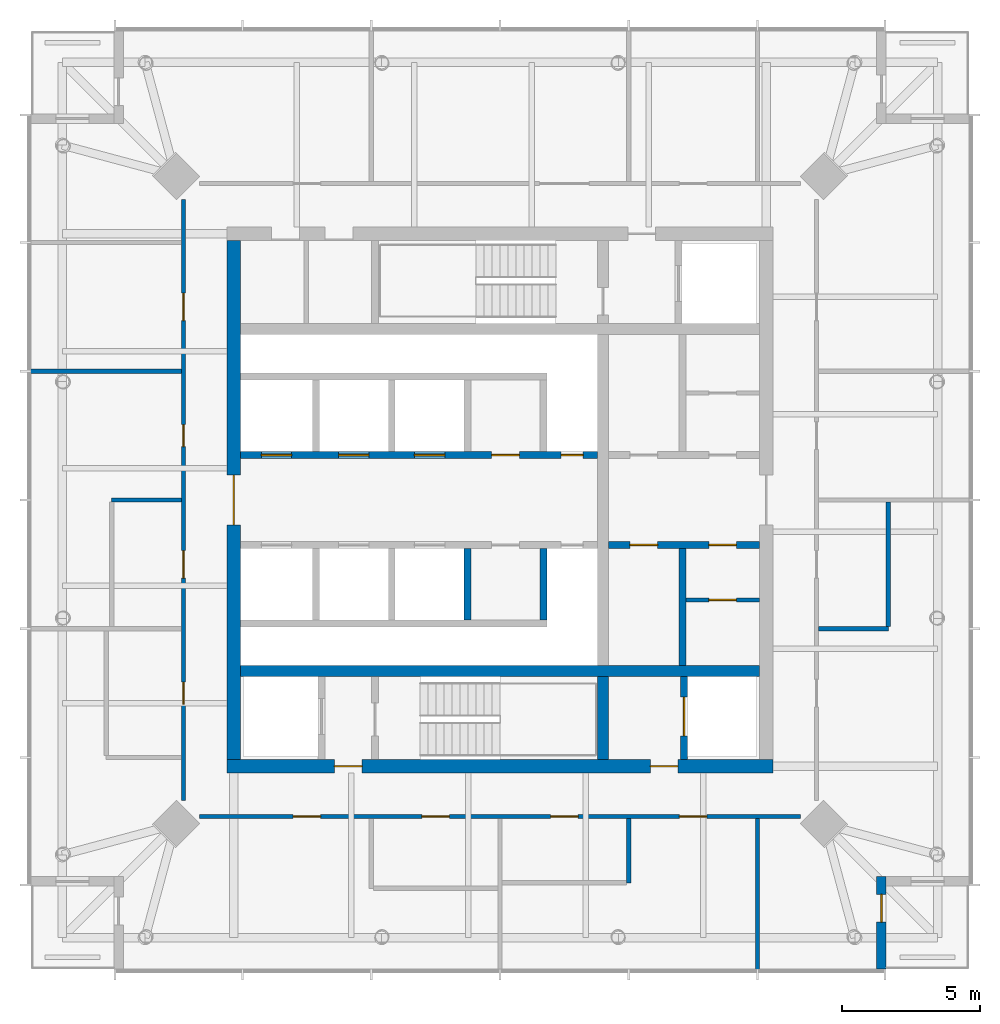
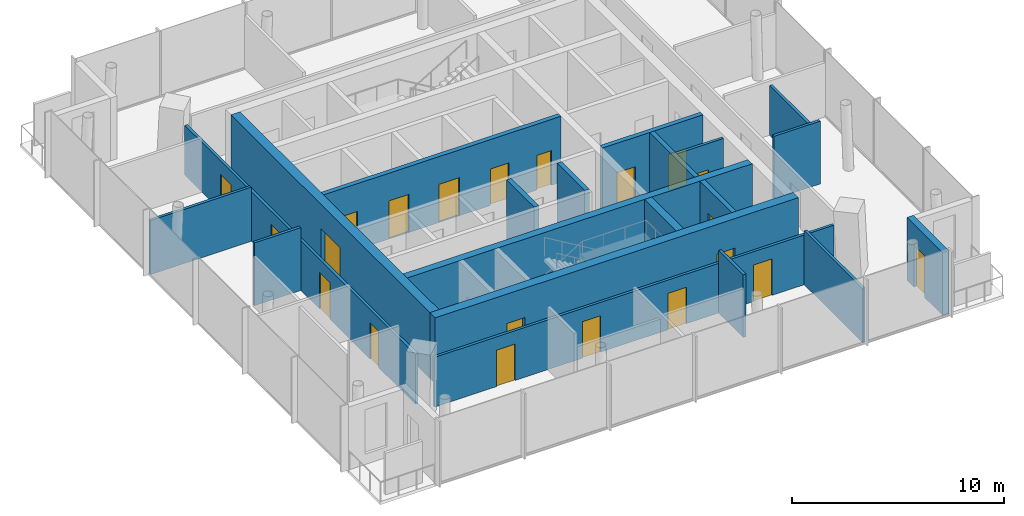
# One storey, part 4 of 7: 21 doors, 20 walls, 21 openings.
"""IFC4 building model written with IfcOpenShell, lengths in metres."""

from ifc_helpers import new_model, si_unit, direction, frame, frame_2d, origin, place, context, subcontext, project, spatial, rectangle, extrude, material, layer, layer_set, type_object, element, fill, save


model = new_model("IFC4")

# Units and contexts
model_context = context("Model", 3, precision=1e-05, world=origin(), true_north=direction((0.0, 1.0)))
body_context = subcontext(model_context, "Body", "Model", "MODEL_VIEW")
ifc_project = project(units=[si_unit("LENGTHUNIT", "METRE"), si_unit("AREAUNIT", "SQUARE_METRE"), si_unit("VOLUMEUNIT", "CUBIC_METRE"), si_unit("PLANEANGLEUNIT", "RADIAN"), si_unit("MASSUNIT", "GRAM", prefix="KILO")], contexts=[model_context])

# Site, building, storey
site_placement = place(None, origin())
site = spatial("IfcSite", under=ifc_project, at=site_placement, CompositionType="ELEMENT")
building_placement = place(site_placement, origin())
building = spatial("IfcBuilding", under=site, at=building_placement, Name="Ostroluk Exchange", CompositionType="ELEMENT")
storey_placement = place(building_placement, frame((0.0, 0.0, 275.60009765625)))
storey = spatial("IfcBuildingStorey", under=building, at=storey_placement, Name="L71", CompositionType="ELEMENT", Elevation=275.60009765625)

# Wall, opening, door
ifc_material_1 = material(Name="Concrete blockwork", Category="masonry")
ifc_layer_1 = layer(ifc_material_1, 0.14990234375)
ifc_layer_set_1 = layer_set([ifc_layer_1], Name="Blockwork plant room wall 150")
wall_type_1 = type_object("IfcWallType", Name="Blockwork plant room wall 150", PredefinedType="SOLIDWALL", material=ifc_layer_set_1)
wall_1_placement = place(storey_placement, frame((51.739990234375, 42.3798828125, 0.0), z_axis=(0.0, 0.0, 1.0), x_axis=(1.0, 0.0, 0.0)))
wall_1 = element("IfcWall", 1, at=wall_1_placement, inside=storey, type_object=wall_type_1, Name="Core room wall", PredefinedType="SOLIDWALL", context=body_context, shape_type="SweptSolid", body=[
    extrude(rectangle(XDim=2.659912109375, YDim=0.14990234375, at=frame_2d((1.330078125, 0.0))), origin(), (0.0, 0.0, 1.0), 3.619873046875),
])
opening_1_placement = place(wall_1_placement, frame((0.830078125, 0.0, 0.0)))
opening_1 = element("IfcOpeningElement", 2, at=opening_1_placement, cuts=wall_1, Name="Opening FD60", PredefinedType="OPENING", context=body_context, shape_type="SweptSolid", body=[
    extrude(rectangle(XDim=1.0, YDim=2.10009765625, at=frame_2d((0.5, 1.050048828125))), frame((0.0, 0.0849609375, 0.0), z_axis=(0.0, -1.0, 0.0), x_axis=(1.0, 0.0, 0.0)), (0.0, 0.0, 1.0), 0.169921875),
])
ifc_material_2 = material(Name="Steel", Category="steel")
door_type_1 = type_object("IfcDoorType", Name="Fire door EI 60 1000 x 2100", OperationType="SINGLE_SWING_LEFT", PredefinedType="DOOR", material=ifc_material_2)
door_1_placement = place(opening_1_placement, origin())
door_1 = element("IfcDoor", 3, at=door_1_placement, inside=storey, type_object=door_type_1, Name="Archive store door", OperationType="SINGLE_SWING_RIGHT", OverallHeight=2.10009765625, OverallWidth=1.0, PredefinedType="DOOR", context=body_context, shape_type="SweptSolid", body=[
    extrude(rectangle(XDim=1.0, YDim=2.10009765625, at=frame_2d((0.5, 1.050048828125))), frame((0.0, 0.02490234375, 0.0), z_axis=(0.0, -1.0, 0.0), x_axis=(1.0, 0.0, 0.0)), (0.0, 0.0, 1.0), 0.050048828125),
])
fill(opening_1, door_1)

# Walls
ifc_material_3 = material(Name="Concrete C50/60", Category="concrete")
ifc_layer_2 = layer(ifc_material_3, 0.39990234375)
ifc_layer_set_2 = layer_set([ifc_layer_2], Name="Core cross wall 400 C50/60")
wall_type_2 = type_object("IfcWallType", Name="Core cross wall 400 C50/60", PredefinedType="SHEAR", material=ifc_layer_set_2)
wall_2_placement = place(storey_placement, frame((35.60009765625, 39.800048828125, 0.0), z_axis=(0.0, 0.0, 1.0), x_axis=(1.0, 0.0, 0.0)))
element("IfcWall", 4, at=wall_2_placement, inside=storey, type_object=wall_type_2, Name="T1 core wall XS", PredefinedType="SHEAR", context=body_context, shape_type="SweptSolid", body=[
    extrude(rectangle(XDim=18.7998046875, YDim=0.39990234375, at=frame_2d((9.39990234375, 0.0))), origin(), (0.0, 0.0, 1.0), 3.7998046875),
])
wall_3_placement = place(storey_placement, frame((48.72998046875, 36.60009765625, 0.0), z_axis=(0.0, 0.0, 1.0), x_axis=(0.0, 1.0, 0.0)))
element("IfcWall", 5, at=wall_3_placement, inside=storey, type_object=wall_type_2, Name="T1 core wall YE1", PredefinedType="SHEAR", context=body_context, shape_type="SweptSolid", body=[
    extrude(rectangle(XDim=3.0, YDim=0.39990234375, at=frame_2d((1.5, 0.0))), origin(), (0.0, 0.0, 1.0), 3.7998046875),
])

# Wall, opening, door
ifc_material_4 = material(Name="Concrete C40/50", Category="concrete")
ifc_layer_3 = layer(ifc_material_4, 0.25)
ifc_layer_set_3 = layer_set([ifc_layer_3], Name="Core shaft wall 250")
wall_type_3 = type_object("IfcWallType", Name="Core shaft wall 250", PredefinedType="SHEAR", material=ifc_layer_set_3)
wall_4_placement = place(storey_placement, frame((51.675048828125, 36.60009765625, 0.0), z_axis=(0.0, 0.0, 1.0), x_axis=(0.0, 1.0, 0.0)))
wall_4 = element("IfcWall", 6, at=wall_4_placement, inside=storey, type_object=wall_type_3, Name="Service lift shaft wall", PredefinedType="SHEAR", context=body_context, shape_type="SweptSolid", body=[
    extrude(rectangle(XDim=3.0, YDim=0.25, at=frame_2d((1.5, 0.0))), origin(), (0.0, 0.0, 1.0), 3.7998046875),
])
opening_2_placement = place(wall_4_placement, frame((0.85009765625, 0.0, 0.0)))
opening_2 = element("IfcOpeningElement", 7, at=opening_2_placement, cuts=wall_4, Name="Opening LD3", PredefinedType="OPENING", context=body_context, shape_type="SweptSolid", body=[
    extrude(rectangle(XDim=1.39990234375, YDim=2.39990234375, at=frame_2d((0.699951171875, 1.199951171875))), frame((0.0, 0.135009765625, 0.0), z_axis=(0.0, -1.0, 0.0), x_axis=(1.0, 0.0, 0.0)), (0.0, 0.0, 1.0), 0.27001953125),
])
ifc_material_5 = material(Name="Stainless steel", Category="steel")
door_type_2 = type_object("IfcDoorType", Name="Goods lift landing door E 60 1400 x 2400", OperationType="DOUBLE_DOOR_SLIDING", PredefinedType="DOOR", material=ifc_material_5)
door_2_placement = place(opening_2_placement, origin())
door_2 = element("IfcDoor", 8, at=door_2_placement, inside=storey, type_object=door_type_2, Name="Lift SL1 landing door", OperationType="DOUBLE_DOOR_SLIDING", OverallHeight=2.39990234375, OverallWidth=1.39990234375, PredefinedType="DOOR", context=body_context, shape_type="SweptSolid", body=[
    extrude(rectangle(XDim=1.39990234375, YDim=2.39990234375, at=frame_2d((0.699951171875, 1.199951171875))), frame((0.0, 0.02490234375, 0.0), z_axis=(0.0, -1.0, 0.0), x_axis=(1.0, 0.0, 0.0)), (0.0, 0.0, 1.0), 0.050048828125),
])
fill(opening_2, door_2)

# Wall, openings, doors
wall_5_placement = place(storey_placement, frame((35.60009765625, 47.625, 0.0), z_axis=(0.0, 0.0, 1.0), x_axis=(1.0, 0.0, 0.0)))
wall_5 = element("IfcWall", 9, at=wall_5_placement, inside=storey, type_object=wall_type_3, Name="Lift shaft front wall", PredefinedType="SHEAR", context=body_context, shape_type="SweptSolid", body=[
    extrude(rectangle(XDim=12.929931640625, YDim=0.25, at=frame_2d((6.46484375, 0.0))), origin(), (0.0, 0.0, 1.0), 3.7998046875),
])
opening_3_placement = place(wall_5_placement, frame((0.75, 0.0, 0.0)))
opening_3 = element("IfcOpeningElement", 10, at=opening_3_placement, cuts=wall_5, Name="Opening LD", PredefinedType="OPENING", context=body_context, shape_type="SweptSolid", body=[
    extrude(rectangle(XDim=1.10009765625, YDim=2.199951171875, at=frame_2d((0.550048828125, 1.10009765625))), frame((0.0, 0.135009765625, 0.0), z_axis=(0.0, -1.0, 0.0), x_axis=(1.0, 0.0, 0.0)), (0.0, 0.0, 1.0), 0.27001953125),
])
opening_4_placement = place(wall_5_placement, frame((3.550048828125, 0.0, 0.0)))
opening_4 = element("IfcOpeningElement", 11, at=opening_4_placement, cuts=wall_5, Name="Opening LD", PredefinedType="OPENING", context=body_context, shape_type="SweptSolid", body=[
    extrude(rectangle(XDim=1.10009765625, YDim=2.199951171875, at=frame_2d((0.550048828125, 1.10009765625))), frame((0.0, 0.135009765625, 0.0), z_axis=(0.0, -1.0, 0.0), x_axis=(1.0, 0.0, 0.0)), (0.0, 0.0, 1.0), 0.27001953125),
])
opening_5_placement = place(wall_5_placement, frame((6.300048828125, 0.0, 0.0)))
opening_5 = element("IfcOpeningElement", 12, at=opening_5_placement, cuts=wall_5, Name="Opening LD", PredefinedType="OPENING", context=body_context, shape_type="SweptSolid", body=[
    extrude(rectangle(XDim=1.10009765625, YDim=2.199951171875, at=frame_2d((0.550048828125, 1.10009765625))), frame((0.0, 0.135009765625, 0.0), z_axis=(0.0, -1.0, 0.0), x_axis=(1.0, 0.0, 0.0)), (0.0, 0.0, 1.0), 0.27001953125),
])
opening_6_placement = place(wall_5_placement, frame((9.10009765625, 0.0, 0.0)))
opening_6 = element("IfcOpeningElement", 13, at=opening_6_placement, cuts=wall_5, Name="Opening FD60", PredefinedType="OPENING", context=body_context, shape_type="SweptSolid", body=[
    extrude(rectangle(XDim=1.0, YDim=2.10009765625, at=frame_2d((0.5, 1.050048828125))), frame((0.0, 0.135009765625, 0.0), z_axis=(0.0, -1.0, 0.0), x_axis=(1.0, 0.0, 0.0)), (0.0, 0.0, 1.0), 0.27001953125),
])
opening_7_placement = place(wall_5_placement, frame((11.614990234375, 0.0, 0.0)))
opening_7 = element("IfcOpeningElement", 14, at=opening_7_placement, cuts=wall_5, Name="Opening RD60", PredefinedType="OPENING", context=body_context, shape_type="SweptSolid", body=[
    extrude(rectangle(XDim=0.800048828125, YDim=2.0, at=frame_2d((0.39990234375, 1.0))), frame((0.0, 0.135009765625, 0.0), z_axis=(0.0, -1.0, 0.0), x_axis=(1.0, 0.0, 0.0)), (0.0, 0.0, 1.0), 0.27001953125),
])
door_3_placement = place(opening_6_placement, origin())
door_3 = element("IfcDoor", 15, at=door_3_placement, inside=storey, type_object=door_type_1, Name="Core room door", OperationType="SINGLE_SWING_RIGHT", OverallHeight=2.10009765625, OverallWidth=1.0, PredefinedType="DOOR", context=body_context, shape_type="SweptSolid", body=[
    extrude(rectangle(XDim=1.0, YDim=2.10009765625, at=frame_2d((0.5, 1.050048828125))), frame((0.0, 0.02490234375, 0.0), z_axis=(0.0, -1.0, 0.0), x_axis=(1.0, 0.0, 0.0)), (0.0, 0.0, 1.0), 0.050048828125),
])
fill(opening_6, door_3)
ifc_material_6 = material(Name="Stainless steel", Category="steel")
door_type_3 = type_object("IfcDoorType", Name="Lift landing door E 60 1100 x 2200", OperationType="DOUBLE_DOOR_SLIDING", PredefinedType="DOOR", material=ifc_material_6)
door_4_placement = place(opening_3_placement, origin())
door_4 = element("IfcDoor", 16, at=door_4_placement, inside=storey, type_object=door_type_3, Name="Lift PL-T1 landing door", OperationType="DOUBLE_DOOR_SLIDING", OverallHeight=2.199951171875, OverallWidth=1.10009765625, PredefinedType="DOOR", context=body_context, shape_type="SweptSolid", body=[
    extrude(rectangle(XDim=1.10009765625, YDim=2.199951171875, at=frame_2d((0.550048828125, 1.10009765625))), frame((0.0, 0.02490234375, 0.0), z_axis=(0.0, -1.0, 0.0), x_axis=(1.0, 0.0, 0.0)), (0.0, 0.0, 1.0), 0.050048828125),
])
fill(opening_3, door_4)
door_5_placement = place(opening_4_placement, origin())
door_5 = element("IfcDoor", 17, at=door_5_placement, inside=storey, type_object=door_type_3, Name="Lift PL-T2 landing door", OperationType="DOUBLE_DOOR_SLIDING", OverallHeight=2.199951171875, OverallWidth=1.10009765625, PredefinedType="DOOR", context=body_context, shape_type="SweptSolid", body=[
    extrude(rectangle(XDim=1.10009765625, YDim=2.199951171875, at=frame_2d((0.550048828125, 1.10009765625))), frame((0.0, 0.02490234375, 0.0), z_axis=(0.0, -1.0, 0.0), x_axis=(1.0, 0.0, 0.0)), (0.0, 0.0, 1.0), 0.050048828125),
])
fill(opening_4, door_5)
door_6_placement = place(opening_5_placement, origin())
door_6 = element("IfcDoor", 18, at=door_6_placement, inside=storey, type_object=door_type_3, Name="Lift PL-T3 landing door", OperationType="DOUBLE_DOOR_SLIDING", OverallHeight=2.199951171875, OverallWidth=1.10009765625, PredefinedType="DOOR", context=body_context, shape_type="SweptSolid", body=[
    extrude(rectangle(XDim=1.10009765625, YDim=2.199951171875, at=frame_2d((0.550048828125, 1.10009765625))), frame((0.0, 0.02490234375, 0.0), z_axis=(0.0, -1.0, 0.0), x_axis=(1.0, 0.0, 0.0)), (0.0, 0.0, 1.0), 0.050048828125),
])
fill(opening_5, door_6)
ifc_material_7 = material(Name="Steel", Category="steel")
door_type_4 = type_object("IfcDoorType", Name="Riser access door EI 60 800 x 2000", OperationType="SINGLE_SWING_LEFT", PredefinedType="DOOR", material=ifc_material_7)
door_7_placement = place(opening_7_placement, origin())
door_7 = element("IfcDoor", 19, at=door_7_placement, inside=storey, type_object=door_type_4, Name="Riser access door", OperationType="SINGLE_SWING_RIGHT", OverallHeight=2.0, OverallWidth=0.800048828125, PredefinedType="DOOR", context=body_context, shape_type="SweptSolid", body=[
    extrude(rectangle(XDim=0.800048828125, YDim=2.0, at=frame_2d((0.39990234375, 1.0))), frame((0.0, 0.02490234375, 0.0), z_axis=(0.0, -1.0, 0.0), x_axis=(1.0, 0.0, 0.0)), (0.0, 0.0, 1.0), 0.050048828125),
])
fill(opening_7, door_7)

# Walls
for number, where, z_axis, x_axis, name in (
    (20, (43.824951171875, 44.25, 0.0), (0.0, 0.0, 1.0), (0.0, -1.0, 0.0), "Lift shaft wall"),
    (21, (46.574951171875, 44.25, 0.0), (0.0, 0.0, 1.0), (0.0, -1.0, 0.0), "Lift shaft wall"),
):
    element("IfcWall", number, at=place(storey_placement, frame(where, z_axis=z_axis, x_axis=x_axis)), inside=storey, type_object=wall_type_3, Name=name, PredefinedType="SHEAR", context=body_context, shape_type="SweptSolid", body=[
        extrude(rectangle(XDim=2.60009765625, YDim=0.25, at=frame_2d((1.300048828125, 0.0))), origin(), (0.0, 0.0, 1.0), 3.7998046875),
    ])
wall_6_placement = place(storey_placement, frame((51.614990234375, 44.25, 0.0), z_axis=(0.0, 0.0, 1.0), x_axis=(0.0, -1.0, 0.0)))
element("IfcWall", 22, at=wall_6_placement, inside=storey, type_object=wall_type_3, Name="Lift shaft wall", PredefinedType="SHEAR", context=body_context, shape_type="SweptSolid", body=[
    extrude(rectangle(XDim=4.25, YDim=0.25, at=frame_2d((2.125, 0.0))), origin(), (0.0, 0.0, 1.0), 3.7998046875),
])

# Wall, openings, doors
wall_7_placement = place(storey_placement, frame((48.929931640625, 44.375, 0.0), z_axis=(0.0, 0.0, 1.0), x_axis=(1.0, 0.0, 0.0)))
wall_7 = element("IfcWall", 23, at=wall_7_placement, inside=storey, type_object=wall_type_3, Name="Lift shaft front wall", PredefinedType="SHEAR", context=body_context, shape_type="SweptSolid", body=[
    extrude(rectangle(XDim=5.469970703125, YDim=0.25, at=frame_2d((2.73486328125, 0.0))), origin(), (0.0, 0.0, 1.0), 3.7998046875),
])
opening_8_placement = place(wall_7_placement, frame((0.780029296875, 0.0, 0.0)))
opening_8 = element("IfcOpeningElement", 24, at=opening_8_placement, cuts=wall_7, Name="Opening FD60", PredefinedType="OPENING", context=body_context, shape_type="SweptSolid", body=[
    extrude(rectangle(XDim=1.0, YDim=2.10009765625, at=frame_2d((0.5, 1.050048828125))), frame((0.0, 0.135009765625, 0.0), z_axis=(0.0, -1.0, 0.0), x_axis=(1.0, 0.0, 0.0)), (0.0, 0.0, 1.0), 0.27001953125),
])
opening_9_placement = place(wall_7_placement, frame((3.639892578125, 0.0, 0.0)))
opening_9 = element("IfcOpeningElement", 25, at=opening_9_placement, cuts=wall_7, Name="Opening FD60", PredefinedType="OPENING", context=body_context, shape_type="SweptSolid", body=[
    extrude(rectangle(XDim=1.0, YDim=2.10009765625, at=frame_2d((0.5, 1.050048828125))), frame((0.0, 0.135009765625, 0.0), z_axis=(0.0, -1.0, 0.0), x_axis=(1.0, 0.0, 0.0)), (0.0, 0.0, 1.0), 0.27001953125),
])
door_8_placement = place(opening_8_placement, origin())
door_8 = element("IfcDoor", 26, at=door_8_placement, inside=storey, type_object=door_type_1, Name="Core room door", OperationType="SINGLE_SWING_LEFT", OverallHeight=2.10009765625, OverallWidth=1.0, PredefinedType="DOOR", context=body_context, shape_type="SweptSolid", body=[
    extrude(rectangle(XDim=1.0, YDim=2.10009765625, at=frame_2d((0.5, 1.050048828125))), frame((0.0, 0.02490234375, 0.0), z_axis=(0.0, -1.0, 0.0), x_axis=(1.0, 0.0, 0.0)), (0.0, 0.0, 1.0), 0.050048828125),
])
fill(opening_8, door_8)
door_9_placement = place(opening_9_placement, origin())
door_9 = element("IfcDoor", 27, at=door_9_placement, inside=storey, type_object=door_type_1, Name="Core room door", OperationType="SINGLE_SWING_RIGHT", OverallHeight=2.10009765625, OverallWidth=1.0, PredefinedType="DOOR", context=body_context, shape_type="SweptSolid", body=[
    extrude(rectangle(XDim=1.0, YDim=2.10009765625, at=frame_2d((0.5, 1.050048828125))), frame((0.0, 0.02490234375, 0.0), z_axis=(0.0, -1.0, 0.0), x_axis=(1.0, 0.0, 0.0)), (0.0, 0.0, 1.0), 0.050048828125),
])
fill(opening_9, door_9)

ifc_material_8 = material(Name="Concrete C50/60", Category="concrete")
ifc_layer_4 = layer(ifc_material_8, 0.5)
ifc_layer_set_4 = layer_set([ifc_layer_4], Name="Core wall 500 C50/60")
wall_type_4 = type_object("IfcWallType", Name="Core wall 500 C50/60", PredefinedType="SHEAR", material=ifc_layer_set_4)
wall_8_placement = place(storey_placement, frame((35.10009765625, 36.35009765625, 0.0), z_axis=(0.0, 0.0, 1.0), x_axis=(1.0, 0.0, 0.0)))
wall_8 = element("IfcWall", 28, at=wall_8_placement, inside=storey, type_object=wall_type_4, Name="T1 core wall S", PredefinedType="SHEAR", context=body_context, shape_type="SweptSolid", body=[
    extrude(rectangle(XDim=19.7998046875, YDim=0.5, at=frame_2d((9.89990234375, 0.0))), origin(), (0.0, 0.0, 1.0), 3.7998046875),
])
opening_10_placement = place(wall_8_placement, frame((3.89990234375, 0.0, 0.0)))
opening_10 = element("IfcOpeningElement", 29, at=opening_10_placement, cuts=wall_8, Name="Opening FD60", PredefinedType="OPENING", context=body_context, shape_type="SweptSolid", body=[
    extrude(rectangle(XDim=1.0, YDim=2.10009765625, at=frame_2d((0.5, 1.050048828125))), frame((0.0, 0.260009765625, 0.0), z_axis=(0.0, -1.0, 0.0), x_axis=(1.0, 0.0, 0.0)), (0.0, 0.0, 1.0), 0.52001953125),
])
opening_11_placement = place(wall_8_placement, frame((15.35009765625, 0.0, 0.0)))
opening_11 = element("IfcOpeningElement", 30, at=opening_11_placement, cuts=wall_8, Name="Opening FD60", PredefinedType="OPENING", context=body_context, shape_type="SweptSolid", body=[
    extrude(rectangle(XDim=1.0, YDim=2.10009765625, at=frame_2d((0.5, 1.050048828125))), frame((0.0, 0.260009765625, 0.0), z_axis=(0.0, -1.0, 0.0), x_axis=(1.0, 0.0, 0.0)), (0.0, 0.0, 1.0), 0.52001953125),
])
door_10_placement = place(opening_10_placement, origin())
door_10 = element("IfcDoor", 31, at=door_10_placement, inside=storey, type_object=door_type_1, Name="Firefighting lobby door", OperationType="SINGLE_SWING_LEFT", OverallHeight=2.10009765625, OverallWidth=1.0, PredefinedType="DOOR", context=body_context, shape_type="SweptSolid", body=[
    extrude(rectangle(XDim=1.0, YDim=2.10009765625, at=frame_2d((0.5, 1.050048828125))), frame((0.0, 0.02490234375, 0.0), z_axis=(0.0, -1.0, 0.0), x_axis=(1.0, 0.0, 0.0)), (0.0, 0.0, 1.0), 0.050048828125),
])
fill(opening_10, door_10)
door_11_placement = place(opening_11_placement, origin())
door_11 = element("IfcDoor", 32, at=door_11_placement, inside=storey, type_object=door_type_1, Name="Service lobby door", OperationType="SINGLE_SWING_RIGHT", OverallHeight=2.10009765625, OverallWidth=1.0, PredefinedType="DOOR", context=body_context, shape_type="SweptSolid", body=[
    extrude(rectangle(XDim=1.0, YDim=2.10009765625, at=frame_2d((0.5, 1.050048828125))), frame((0.0, 0.02490234375, 0.0), z_axis=(0.0, -1.0, 0.0), x_axis=(1.0, 0.0, 0.0)), (0.0, 0.0, 1.0), 0.050048828125),
])
fill(opening_11, door_11)

# Wall, opening, door
wall_9_placement = place(storey_placement, frame((35.35009765625, 36.60009765625, 0.0), z_axis=(0.0, 0.0, 1.0), x_axis=(0.0, 1.0, 0.0)))
wall_9 = element("IfcWall", 33, at=wall_9_placement, inside=storey, type_object=wall_type_4, Name="T1 core wall W", PredefinedType="SHEAR", context=body_context, shape_type="SweptSolid", body=[
    extrude(rectangle(XDim=18.7998046875, YDim=0.5, at=frame_2d((9.39990234375, 0.0))), origin(), (0.0, 0.0, 1.0), 3.7998046875),
])
opening_12_placement = place(wall_9_placement, frame((8.5, 0.0, 0.0)))
opening_12 = element("IfcOpeningElement", 34, at=opening_12_placement, cuts=wall_9, Name="Opening FD30D", PredefinedType="OPENING", context=body_context, shape_type="SweptSolid", body=[
    extrude(rectangle(XDim=1.800048828125, YDim=2.39990234375, at=frame_2d((0.89990234375, 1.199951171875))), frame((0.0, 0.260009765625, 0.0), z_axis=(0.0, -1.0, 0.0), x_axis=(1.0, 0.0, 0.0)), (0.0, 0.0, 1.0), 0.52001953125),
])
ifc_material_9 = material(Name="Timber", Category="wood")
door_type_5 = type_object("IfcDoorType", Name="Lobby double door EI 30 1800 x 2400", OperationType="DOUBLE_DOOR_SINGLE_SWING", PredefinedType="DOOR", material=ifc_material_9)
door_12_placement = place(opening_12_placement, origin())
door_12 = element("IfcDoor", 35, at=door_12_placement, inside=storey, type_object=door_type_5, Name="Lift lobby doors", OperationType="DOUBLE_DOOR_SINGLE_SWING", OverallHeight=2.39990234375, OverallWidth=1.800048828125, PredefinedType="DOOR", context=body_context, shape_type="SweptSolid", body=[
    extrude(rectangle(XDim=1.800048828125, YDim=2.39990234375, at=frame_2d((0.89990234375, 1.199951171875))), frame((0.0, 0.02490234375, 0.0), z_axis=(0.0, -1.0, 0.0), x_axis=(1.0, 0.0, 0.0)), (0.0, 0.0, 1.0), 0.050048828125),
])
fill(opening_12, door_12)

ifc_material_10 = material(Name="Limestone", Category="masonry")
ifc_layer_5 = layer(ifc_material_10, 0.35009765625)
ifc_layer_set_5 = layer_set([ifc_layer_5], Name="Limestone facade wall 350")
wall_type_5 = type_object("IfcWallType", Name="Limestone facade wall 350", PredefinedType="SOLIDWALL", material=ifc_layer_set_5)
wall_10_placement = place(storey_placement, frame((58.824951171875, 29.0, 0.0), z_axis=(0.0, 0.0, 1.0), x_axis=(0.0, 1.0, 0.0)))
wall_10 = element("IfcWall", 36, at=wall_10_placement, inside=storey, type_object=wall_type_5, Name="Office tower SE corner wall L71 a", PredefinedType="SOLIDWALL", context=body_context, shape_type="SweptSolid", body=[
    extrude(rectangle(XDim=3.35009765625, YDim=0.35009765625, at=frame_2d((1.675048828125, 0.0))), origin(), (0.0, 0.0, 1.0), 3.619873046875),
])
opening_13_placement = place(wall_10_placement, frame((1.699951171875, 0.0, 0.0)))
opening_13 = element("IfcOpeningElement", 37, at=opening_13_placement, cuts=wall_10, Name="Opening D-B1", PredefinedType="OPENING", context=body_context, shape_type="SweptSolid", body=[
    extrude(rectangle(XDim=1.0, YDim=2.39990234375, at=frame_2d((0.5, 1.199951171875))), frame((0.0, 0.18505859375, 0.0), z_axis=(0.0, -1.0, 0.0), x_axis=(1.0, 0.0, 0.0)), (0.0, 0.0, 1.0), 0.3701171875),
])
ifc_material_11 = material(Name="Bronze framed glazed door", Category="aluminium")
door_type_6 = type_object("IfcDoorType", Name="Balcony door 1000 x 2400", OperationType="SINGLE_SWING_LEFT", PredefinedType="DOOR", material=ifc_material_11)
door_13_placement = place(opening_13_placement, origin())
door_13 = element("IfcDoor", 38, at=door_13_placement, inside=storey, type_object=door_type_6, Name="Office tower SE balcony door L71", OperationType="SINGLE_SWING_RIGHT", OverallHeight=2.39990234375, OverallWidth=1.0, PredefinedType="DOOR", context=body_context, shape_type="SweptSolid", body=[
    extrude(rectangle(XDim=1.0, YDim=2.39990234375, at=frame_2d((0.5, 1.199951171875))), frame((0.0, 0.02490234375, 0.0), z_axis=(0.0, -1.0, 0.0), x_axis=(1.0, 0.0, 0.0)), (0.0, 0.0, 1.0), 0.050048828125),
])
fill(opening_13, door_13)

# Walls
ifc_material_12 = material(Name="Gypsum plasterboard partition", Category="gypsum")
ifc_layer_6 = layer(ifc_material_12, 0.14990234375)
ifc_layer_set_6 = layer_set([ifc_layer_6], Name="Plasterboard partition 150")
wall_type_6 = type_object("IfcWallType", Name="Plasterboard partition 150", PredefinedType="PARTITIONING", material=ifc_layer_set_6)
wall_11_placement = place(storey_placement, frame((59.074951171875, 41.408447265625, 0.0), z_axis=(0.0, 0.0, 1.0), x_axis=(0.0, 1.0, 0.0)))
element("IfcWall", 39, at=wall_11_placement, inside=storey, type_object=wall_type_6, Name="Partition", PredefinedType="PARTITIONING", context=body_context, shape_type="SweptSolid", body=[
    extrude(rectangle(XDim=4.5166015625, YDim=0.14990234375, at=frame_2d((2.25830078125, 0.0))), origin(), (0.0, 0.0, 1.0), 2.866943359375),
])
wall_12_placement = place(storey_placement, frame((56.550048828125, 41.333251953125, 0.0), z_axis=(0.0, 0.0, 1.0), x_axis=(1.0, 0.0, 0.0)))
element("IfcWall", 40, at=wall_12_placement, inside=storey, type_object=wall_type_6, Name="Partition", PredefinedType="PARTITIONING", context=body_context, shape_type="SweptSolid", body=[
    extrude(rectangle(XDim=2.52490234375, YDim=0.14990234375, at=frame_2d((1.262451171875, 0.0))), origin(), (0.0, 0.0, 1.0), 3.619873046875),
])

# Wall, openings, doors
wall_13_placement = place(storey_placement, frame((33.52490234375, 56.88720703125, 0.0), z_axis=(0.0, 0.0, 1.0), x_axis=(0.0, -1.0, 0.0)))
wall_13 = element("IfcWall", 41, at=wall_13_placement, inside=storey, type_object=wall_type_6, Name="Partition", PredefinedType="PARTITIONING", context=body_context, shape_type="SweptSolid", body=[
    extrude(rectangle(XDim=21.7744140625, YDim=0.14990234375, at=frame_2d((10.88720703125, 0.0))), origin(), (0.0, 0.0, 1.0), 2.866943359375),
])
opening_14_placement = place(wall_13_placement, frame((3.38720703125, 0.0, 0.0)))
opening_14 = element("IfcOpeningElement", 42, at=opening_14_placement, cuts=wall_13, Name="Opening D-03", PredefinedType="OPENING", context=body_context, shape_type="SweptSolid", body=[
    extrude(rectangle(XDim=1.0, YDim=2.10009765625, at=frame_2d((0.5, 1.050048828125))), frame((0.0, 0.0849609375, 0.0), z_axis=(0.0, -1.0, 0.0), x_axis=(1.0, 0.0, 0.0)), (0.0, 0.0, 1.0), 0.169921875),
])
opening_15_placement = place(wall_13_placement, frame((8.15380859375, 0.0, 0.0)))
opening_15 = element("IfcOpeningElement", 43, at=opening_15_placement, cuts=wall_13, Name="Opening D-06", PredefinedType="OPENING", context=body_context, shape_type="SweptSolid", body=[
    extrude(rectangle(XDim=0.800048828125, YDim=2.10009765625, at=frame_2d((0.39990234375, 1.050048828125))), frame((0.0, 0.0849609375, 0.0), z_axis=(0.0, -1.0, 0.0), x_axis=(1.0, 0.0, 0.0)), (0.0, 0.0, 1.0), 0.169921875),
])
opening_16_placement = place(wall_13_placement, frame((12.720458984375, 0.0, 0.0)))
opening_16 = element("IfcOpeningElement", 44, at=opening_16_placement, cuts=wall_13, Name="Opening D-03", PredefinedType="OPENING", context=body_context, shape_type="SweptSolid", body=[
    extrude(rectangle(XDim=1.0, YDim=2.10009765625, at=frame_2d((0.5, 1.050048828125))), frame((0.0, 0.0849609375, 0.0), z_axis=(0.0, -1.0, 0.0), x_axis=(1.0, 0.0, 0.0)), (0.0, 0.0, 1.0), 0.169921875),
])
opening_17_placement = place(wall_13_placement, frame((17.4873046875, 0.0, 0.0)))
opening_17 = element("IfcOpeningElement", 45, at=opening_17_placement, cuts=wall_13, Name="Opening D-06", PredefinedType="OPENING", context=body_context, shape_type="SweptSolid", body=[
    extrude(rectangle(XDim=0.800048828125, YDim=2.10009765625, at=frame_2d((0.39990234375, 1.050048828125))), frame((0.0, 0.0849609375, 0.0), z_axis=(0.0, -1.0, 0.0), x_axis=(1.0, 0.0, 0.0)), (0.0, 0.0, 1.0), 0.169921875),
])
ifc_material_13 = material(Name="Timber", Category="wood")
door_type_7 = type_object("IfcDoorType", Name="Internal door 1000 x 2100", OperationType="SINGLE_SWING_LEFT", PredefinedType="DOOR", material=ifc_material_13)
door_14_placement = place(opening_14_placement, origin())
door_14 = element("IfcDoor", 46, at=door_14_placement, inside=storey, type_object=door_type_7, Name="Office door", OperationType="SINGLE_SWING_LEFT", OverallHeight=2.10009765625, OverallWidth=1.0, PredefinedType="DOOR", context=body_context, shape_type="SweptSolid", body=[
    extrude(rectangle(XDim=1.0, YDim=2.10009765625, at=frame_2d((0.5, 1.050048828125))), frame((0.0, 0.02490234375, 0.0), z_axis=(0.0, -1.0, 0.0), x_axis=(1.0, 0.0, 0.0)), (0.0, 0.0, 1.0), 0.050048828125),
])
fill(opening_14, door_14)
door_15_placement = place(opening_16_placement, origin())
door_15 = element("IfcDoor", 47, at=door_15_placement, inside=storey, type_object=door_type_7, Name="Accessible WC door", OperationType="SINGLE_SWING_RIGHT", OverallHeight=2.10009765625, OverallWidth=1.0, PredefinedType="DOOR", context=body_context, shape_type="SweptSolid", body=[
    extrude(rectangle(XDim=1.0, YDim=2.10009765625, at=frame_2d((0.5, 1.050048828125))), frame((0.0, 0.02490234375, 0.0), z_axis=(0.0, -1.0, 0.0), x_axis=(1.0, 0.0, 0.0)), (0.0, 0.0, 1.0), 0.050048828125),
])
fill(opening_16, door_15)
ifc_material_14 = material(Name="Timber", Category="wood")
door_type_8 = type_object("IfcDoorType", Name="Toilet door 800 x 2100", OperationType="SINGLE_SWING_LEFT", PredefinedType="DOOR", material=ifc_material_14)
door_16_placement = place(opening_15_placement, origin())
door_16 = element("IfcDoor", 48, at=door_16_placement, inside=storey, type_object=door_type_8, Name="WC female door", OperationType="SINGLE_SWING_LEFT", OverallHeight=2.10009765625, OverallWidth=0.800048828125, PredefinedType="DOOR", context=body_context, shape_type="SweptSolid", body=[
    extrude(rectangle(XDim=0.800048828125, YDim=2.10009765625, at=frame_2d((0.39990234375, 1.050048828125))), frame((0.0, 0.02490234375, 0.0), z_axis=(0.0, -1.0, 0.0), x_axis=(1.0, 0.0, 0.0)), (0.0, 0.0, 1.0), 0.050048828125),
])
fill(opening_15, door_16)
door_17_placement = place(opening_17_placement, origin())
door_17 = element("IfcDoor", 49, at=door_17_placement, inside=storey, type_object=door_type_8, Name="WC male door", OperationType="SINGLE_SWING_RIGHT", OverallHeight=2.10009765625, OverallWidth=0.800048828125, PredefinedType="DOOR", context=body_context, shape_type="SweptSolid", body=[
    extrude(rectangle(XDim=0.800048828125, YDim=2.10009765625, at=frame_2d((0.39990234375, 1.050048828125))), frame((0.0, 0.02490234375, 0.0), z_axis=(0.0, -1.0, 0.0), x_axis=(1.0, 0.0, 0.0)), (0.0, 0.0, 1.0), 0.050048828125),
])
fill(opening_17, door_17)

# Walls
wall_14_placement = place(storey_placement, frame((33.449951171875, 50.666748046875, 0.0), z_axis=(0.0, 0.0, 1.0), x_axis=(-1.0, 0.0, 0.0)))
element("IfcWall", 50, at=wall_14_placement, inside=storey, type_object=wall_type_6, Name="Partition", PredefinedType="PARTITIONING", context=body_context, shape_type="SweptSolid", body=[
    extrude(rectangle(XDim=5.489990234375, YDim=0.14990234375, at=frame_2d((2.7451171875, 0.0))), origin(), (0.0, 0.0, 1.0), 3.119873046875),
])
wall_15_placement = place(storey_placement, frame((33.449951171875, 46.0, 0.0), z_axis=(0.0, 0.0, 1.0), x_axis=(-1.0, 0.0, 0.0)))
element("IfcWall", 51, at=wall_15_placement, inside=storey, type_object=wall_type_6, Name="Partition", PredefinedType="PARTITIONING", context=body_context, shape_type="SweptSolid", body=[
    extrude(rectangle(XDim=2.52490234375, YDim=0.14990234375, at=frame_2d((1.262451171875, 0.0))), origin(), (0.0, 0.0, 1.0), 3.619873046875),
])

# Wall, openings, doors
wall_16_placement = place(storey_placement, frame((34.11279296875, 34.52490234375, 0.0), z_axis=(0.0, 0.0, 1.0), x_axis=(1.0, 0.0, 0.0)))
wall_16 = element("IfcWall", 52, at=wall_16_placement, inside=storey, type_object=wall_type_6, Name="Partition", PredefinedType="PARTITIONING", context=body_context, shape_type="SweptSolid", body=[
    extrude(rectangle(XDim=21.7744140625, YDim=0.14990234375, at=frame_2d((10.88720703125, 0.0))), origin(), (0.0, 0.0, 1.0), 2.866943359375),
])
opening_18_placement = place(wall_16_placement, frame((3.38720703125, 0.0, 0.0)))
opening_18 = element("IfcOpeningElement", 53, at=opening_18_placement, cuts=wall_16, Name="Opening D-03", PredefinedType="OPENING", context=body_context, shape_type="SweptSolid", body=[
    extrude(rectangle(XDim=1.0, YDim=2.10009765625, at=frame_2d((0.5, 1.050048828125))), frame((0.0, 0.0849609375, 0.0), z_axis=(0.0, -1.0, 0.0), x_axis=(1.0, 0.0, 0.0)), (0.0, 0.0, 1.0), 0.169921875),
])
opening_19_placement = place(wall_16_placement, frame((8.053955078125, 0.0, 0.0)))
opening_19 = element("IfcOpeningElement", 54, at=opening_19_placement, cuts=wall_16, Name="Opening D-03", PredefinedType="OPENING", context=body_context, shape_type="SweptSolid", body=[
    extrude(rectangle(XDim=1.0, YDim=2.10009765625, at=frame_2d((0.5, 1.050048828125))), frame((0.0, 0.0849609375, 0.0), z_axis=(0.0, -1.0, 0.0), x_axis=(1.0, 0.0, 0.0)), (0.0, 0.0, 1.0), 0.169921875),
])
opening_20_placement = place(wall_16_placement, frame((12.720458984375, 0.0, 0.0)))
opening_20 = element("IfcOpeningElement", 55, at=opening_20_placement, cuts=wall_16, Name="Opening D-03", PredefinedType="OPENING", context=body_context, shape_type="SweptSolid", body=[
    extrude(rectangle(XDim=1.0, YDim=2.10009765625, at=frame_2d((0.5, 1.050048828125))), frame((0.0, 0.0849609375, 0.0), z_axis=(0.0, -1.0, 0.0), x_axis=(1.0, 0.0, 0.0)), (0.0, 0.0, 1.0), 0.169921875),
])
opening_21_placement = place(wall_16_placement, frame((17.38720703125, 0.0, 0.0)))
opening_21 = element("IfcOpeningElement", 56, at=opening_21_placement, cuts=wall_16, Name="Opening D-03", PredefinedType="OPENING", context=body_context, shape_type="SweptSolid", body=[
    extrude(rectangle(XDim=1.0, YDim=2.10009765625, at=frame_2d((0.5, 1.050048828125))), frame((0.0, 0.0849609375, 0.0), z_axis=(0.0, -1.0, 0.0), x_axis=(1.0, 0.0, 0.0)), (0.0, 0.0, 1.0), 0.169921875),
])
door_18_placement = place(opening_18_placement, origin())
door_18 = element("IfcDoor", 57, at=door_18_placement, inside=storey, type_object=door_type_7, Name="Corner office door", OperationType="SINGLE_SWING_LEFT", OverallHeight=2.10009765625, OverallWidth=1.0, PredefinedType="DOOR", context=body_context, shape_type="SweptSolid", body=[
    extrude(rectangle(XDim=1.0, YDim=2.10009765625, at=frame_2d((0.5, 1.050048828125))), frame((0.0, 0.02490234375, 0.0), z_axis=(0.0, -1.0, 0.0), x_axis=(1.0, 0.0, 0.0)), (0.0, 0.0, 1.0), 0.050048828125),
])
fill(opening_18, door_18)
door_19_placement = place(opening_19_placement, origin())
door_19 = element("IfcDoor", 58, at=door_19_placement, inside=storey, type_object=door_type_7, Name="Pantry door", OperationType="SINGLE_SWING_LEFT", OverallHeight=2.10009765625, OverallWidth=1.0, PredefinedType="DOOR", context=body_context, shape_type="SweptSolid", body=[
    extrude(rectangle(XDim=1.0, YDim=2.10009765625, at=frame_2d((0.5, 1.050048828125))), frame((0.0, 0.02490234375, 0.0), z_axis=(0.0, -1.0, 0.0), x_axis=(1.0, 0.0, 0.0)), (0.0, 0.0, 1.0), 0.050048828125),
])
fill(opening_19, door_19)
door_20_placement = place(opening_20_placement, origin())
door_20 = element("IfcDoor", 59, at=door_20_placement, inside=storey, type_object=door_type_7, Name="Print and store room door", OperationType="SINGLE_SWING_RIGHT", OverallHeight=2.10009765625, OverallWidth=1.0, PredefinedType="DOOR", context=body_context, shape_type="SweptSolid", body=[
    extrude(rectangle(XDim=1.0, YDim=2.10009765625, at=frame_2d((0.5, 1.050048828125))), frame((0.0, 0.02490234375, 0.0), z_axis=(0.0, -1.0, 0.0), x_axis=(1.0, 0.0, 0.0)), (0.0, 0.0, 1.0), 0.050048828125),
])
fill(opening_20, door_20)
door_21_placement = place(opening_21_placement, origin())
door_21 = element("IfcDoor", 60, at=door_21_placement, inside=storey, type_object=door_type_7, Name="Office door", OperationType="SINGLE_SWING_RIGHT", OverallHeight=2.10009765625, OverallWidth=1.0, PredefinedType="DOOR", context=body_context, shape_type="SweptSolid", body=[
    extrude(rectangle(XDim=1.0, YDim=2.10009765625, at=frame_2d((0.5, 1.050048828125))), frame((0.0, 0.02490234375, 0.0), z_axis=(0.0, -1.0, 0.0), x_axis=(1.0, 0.0, 0.0)), (0.0, 0.0, 1.0), 0.050048828125),
])
fill(opening_21, door_21)

# Walls
wall_17_placement = place(storey_placement, frame((49.666748046875, 34.449951171875, 0.0), z_axis=(0.0, 0.0, 1.0), x_axis=(0.0, -1.0, 0.0)))
element("IfcWall", 61, at=wall_17_placement, inside=storey, type_object=wall_type_6, Name="Partition", PredefinedType="PARTITIONING", context=body_context, shape_type="SweptSolid", body=[
    extrude(rectangle(XDim=2.324951171875, YDim=0.14990234375, at=frame_2d((1.16259765625, 0.0))), origin(), (0.0, 0.0, 1.0), 3.619873046875),
])
wall_18_placement = place(storey_placement, frame((54.333251953125, 34.449951171875, 0.0), z_axis=(0.0, 0.0, 1.0), x_axis=(0.0, -1.0, 0.0)))
element("IfcWall", 62, at=wall_18_placement, inside=storey, type_object=wall_type_6, Name="Partition", PredefinedType="PARTITIONING", context=body_context, shape_type="SweptSolid", body=[
    extrude(rectangle(XDim=5.489990234375, YDim=0.14990234375, at=frame_2d((2.7451171875, 0.0))), origin(), (0.0, 0.0, 1.0), 3.119873046875),
])

save(model, "model.ifc")
